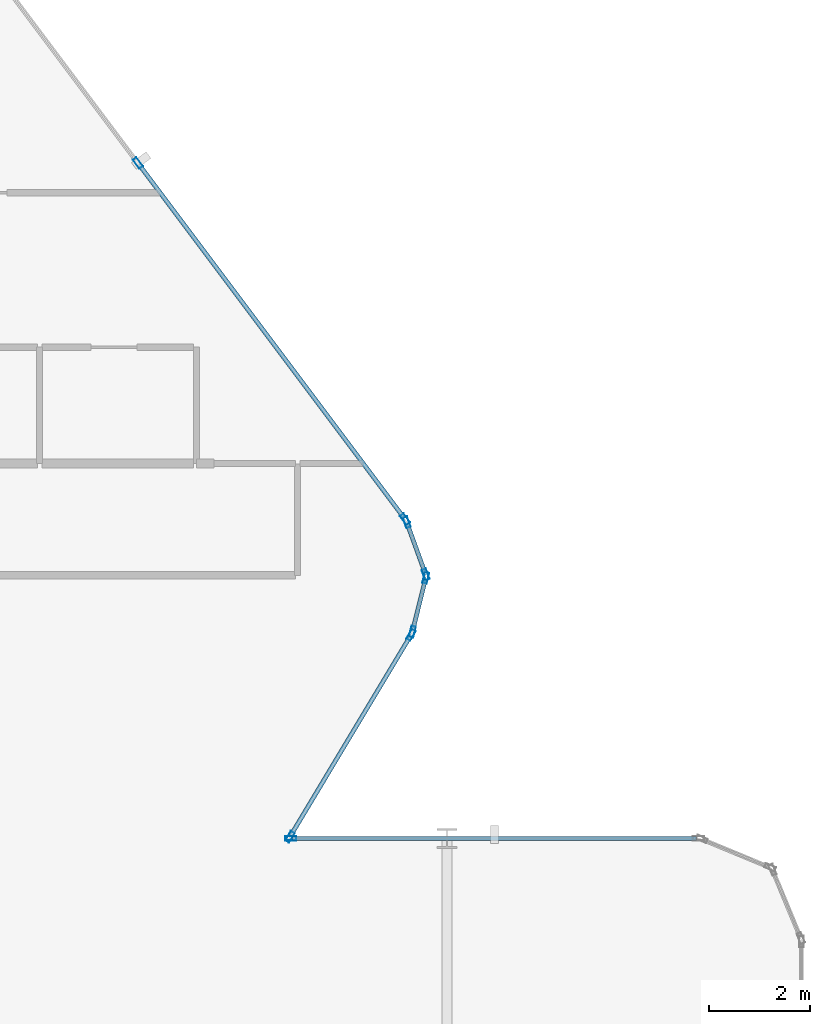
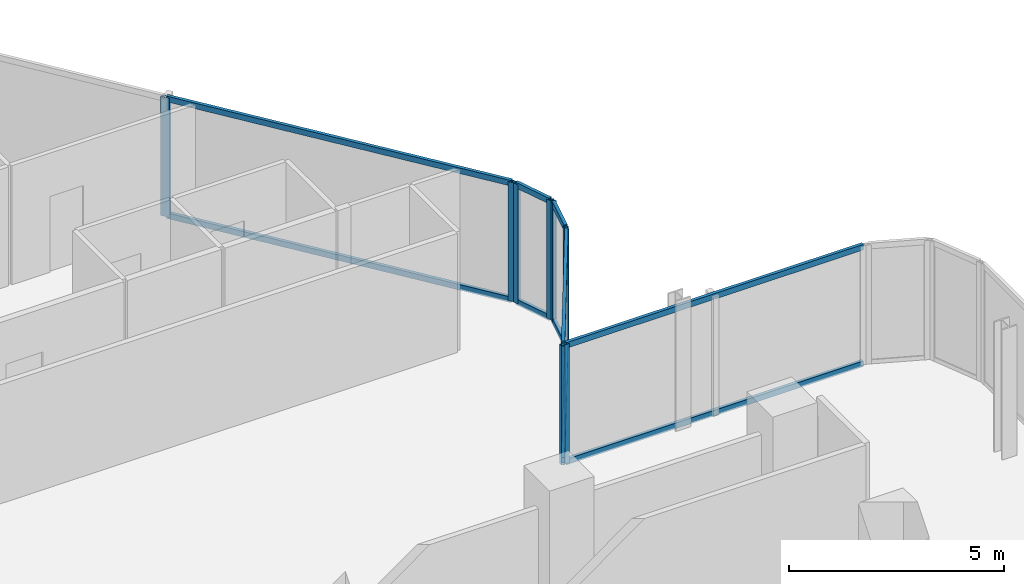
# One storey, part 15 of 34: 19 members, 5 elements without a shape of their own.
"""IFC4 building model written with IfcOpenShell, lengths in metres."""

from ifc_helpers import new_model, si_unit, direction, frame, origin, origin_2d, place, context, subcontext, project, spatial, hollow_rectangle, extrude, material, layer, layer_set, material_profile, profile_set, type_object, element, aggregate, save


model = new_model("IFC4")

# Units and contexts
model_context = context("Model", 3, precision=1e-05, world=origin(), true_north=direction((0.0, 1.0)))
body_context = subcontext(model_context, "Body", "Model", "MODEL_VIEW")
ifc_project = project(units=[si_unit("LENGTHUNIT", "METRE"), si_unit("AREAUNIT", "SQUARE_METRE"), si_unit("VOLUMEUNIT", "CUBIC_METRE"), si_unit("PLANEANGLEUNIT", "RADIAN"), si_unit("MASSUNIT", "GRAM", prefix="KILO")], contexts=[model_context])

# Site, building, storey
site_placement = place(None, origin())
site = spatial("IfcSite", under=ifc_project, at=site_placement, CompositionType="ELEMENT")
building_placement = place(site_placement, origin())
building = spatial("IfcBuilding", under=site, at=building_placement, Name="Keshet Zoharim Tower", CompositionType="ELEMENT")
storey_placement = place(building_placement, frame((0.0, 0.0, 53.60009765625)))
storey = spatial("IfcBuildingStorey", under=building, at=storey_placement, Name="L12", CompositionType="ELEMENT", Elevation=53.60009765625)

# Curtain wall, members
ifc_material = material(Name="Aluminium 6063-T6", Category="aluminium")
ifc_layer_1 = layer(ifc_material, 0.169921875)
ifc_layer_set_1 = layer_set([ifc_layer_1], Name="Aluminium 6063-T6")
curtain_wall_type_1 = type_object("IfcCurtainWallType", Name="CW-SYS-02", PredefinedType="NOTDEFINED", material=ifc_layer_set_1)
curtain_wall_1_placement = place(storey_placement, origin())
curtain_wall_1 = element("IfcCurtainWall", 1, at=curtain_wall_1_placement, inside=storey, type_object=curtain_wall_type_1, Name="L12 Unitised Curtain Wall 09", PredefinedType="NOTDEFINED")
ifc_material_profile_1 = material_profile(ifc_material, hollow_rectangle(XDim=0.090087890625, YDim=0.219970703125, WallThickness=0.0048828125, at=origin_2d()), Name="MUL-90x220")
ifc_profile_set_1 = profile_set([ifc_material_profile_1], Name="Aluminium 6063-T6")
member_type_1 = type_object("IfcMemberType", Name="CWM-M22", PredefinedType="MULLION", material=ifc_profile_set_1)
member_1_placement = place(storey_placement, frame((56.896484375, 46.0380859375, 0.0), z_axis=(0.0, 0.0, 1.0), x_axis=(0.799999999998, 0.600000000002, 0.0)))
member_1 = element("IfcMember", 2, at=member_1_placement, type_object=member_type_1, Name="CW-02 mullion 2", PredefinedType="MULLION", context=body_context, shape_type="SweptSolid", body=[
    extrude(hollow_rectangle(XDim=0.090087890625, YDim=0.219970703125, WallThickness=0.0048828125, at=origin_2d()), origin(), (0.0, 0.0, 1.0), 3.385009765625),
])
member_2_placement = place(storey_placement, frame((62.172119140625, 39.00390625, 0.0), z_axis=(0.0, 0.0, 1.0), x_axis=(0.799999999998, 0.600000000002, 0.0)))
member_2 = element("IfcMember", 3, at=member_2_placement, type_object=member_type_1, Name="CW-02 mullion 3", PredefinedType="MULLION", context=body_context, shape_type="SweptSolid", body=[
    extrude(hollow_rectangle(XDim=0.090087890625, YDim=0.219970703125, WallThickness=0.0048828125, at=origin_2d()), origin(), (0.0, 0.0, 1.0), 3.385009765625),
])

curtain_wall_2_placement = place(storey_placement, origin())
curtain_wall_2 = element("IfcCurtainWall", 4, at=curtain_wall_2_placement, inside=storey, type_object=curtain_wall_type_1, Name="L12 Unitised Curtain Wall 10", PredefinedType="NOTDEFINED")
member_3_placement = place(storey_placement, frame((62.204833984375, 38.943115234375, 0.0), z_axis=(0.0, 0.0, 1.0), x_axis=(0.940317877544, 0.340297354046, 0.0)))
member_3 = element("IfcMember", 5, at=member_3_placement, type_object=member_type_1, Name="CW-02 mullion 1", PredefinedType="MULLION", context=body_context, shape_type="SweptSolid", body=[
    extrude(hollow_rectangle(XDim=0.090087890625, YDim=0.219970703125, WallThickness=0.0048828125, at=origin_2d()), origin(), (0.0, 0.0, 1.0), 3.385009765625),
])
member_4_placement = place(storey_placement, frame((62.578125, 37.911865234375, 0.0), z_axis=(0.0, 0.0, 1.0), x_axis=(0.940317877544, 0.340297354046, 0.0)))
member_4 = element("IfcMember", 6, at=member_4_placement, type_object=member_type_1, Name="CW-02 mullion 2", PredefinedType="MULLION", context=body_context, shape_type="SweptSolid", body=[
    extrude(hollow_rectangle(XDim=0.090087890625, YDim=0.219970703125, WallThickness=0.0048828125, at=origin_2d()), origin(), (0.0, 0.0, 1.0), 3.385009765625),
])

curtain_wall_3_placement = place(storey_placement, origin())
curtain_wall_3 = element("IfcCurtainWall", 7, at=curtain_wall_3_placement, inside=storey, type_object=curtain_wall_type_1, Name="L12 Unitised Curtain Wall 11", PredefinedType="NOTDEFINED")
member_5_placement = place(storey_placement, frame((62.58154296875, 37.844970703125, 0.0), z_axis=(0.0, 0.0, 1.0), x_axis=(0.970343857447, -0.241728770141, 0.0)))
member_5 = element("IfcMember", 8, at=member_5_placement, type_object=member_type_1, Name="CW-02 mullion 1", PredefinedType="MULLION", context=body_context, shape_type="SweptSolid", body=[
    extrude(hollow_rectangle(XDim=0.090087890625, YDim=0.219970703125, WallThickness=0.0048828125, at=origin_2d()), origin(), (0.0, 0.0, 1.0), 3.385009765625),
])
member_6_placement = place(storey_placement, frame((62.31640625, 36.781005859375, 0.0), z_axis=(0.0, 0.0, 1.0), x_axis=(0.970343857447, -0.241728770141, 0.0)))
member_6 = element("IfcMember", 9, at=member_6_placement, type_object=member_type_1, Name="CW-02 mullion 2", PredefinedType="MULLION", context=body_context, shape_type="SweptSolid", body=[
    extrude(hollow_rectangle(XDim=0.090087890625, YDim=0.219970703125, WallThickness=0.0048828125, at=origin_2d()), origin(), (0.0, 0.0, 1.0), 3.385009765625),
])

ifc_layer_2 = layer(ifc_material, 0.179931640625)
ifc_layer_set_2 = layer_set([ifc_layer_2], Name="Aluminium 6063-T6")
curtain_wall_type_2 = type_object("IfcCurtainWallType", Name="CW-SYS-01", PredefinedType="NOTDEFINED", material=ifc_layer_set_2)
curtain_wall_4_placement = place(storey_placement, origin())
curtain_wall_4 = element("IfcCurtainWall", 10, at=curtain_wall_4_placement, inside=storey, type_object=curtain_wall_type_2, Name="L12 Unitised Curtain Wall 12", PredefinedType="NOTDEFINED")
member_7_placement = place(storey_placement, frame((62.2900390625, 36.717041015625, 0.0), z_axis=(0.0, 0.0, 1.0), x_axis=(0.857511621163, -0.51446459506, 0.0)))
member_7 = element("IfcMember", 11, at=member_7_placement, type_object=member_type_1, Name="CW-01 mullion 1", PredefinedType="MULLION", context=body_context, shape_type="SweptSolid", body=[
    extrude(hollow_rectangle(XDim=0.090087890625, YDim=0.219970703125, WallThickness=0.0048828125, at=origin_2d()), origin(), (0.0, 0.0, 1.0), 3.385009765625),
])
member_8_placement = place(storey_placement, frame((59.89794921875, 32.72998046875, 0.0), z_axis=(0.0, 0.0, 1.0), x_axis=(0.857511621163, -0.51446459506, 0.0)))
member_8 = element("IfcMember", 12, at=member_8_placement, type_object=member_type_1, Name="CW-01 mullion 2", PredefinedType="MULLION", context=body_context, shape_type="SweptSolid", body=[
    extrude(hollow_rectangle(XDim=0.090087890625, YDim=0.219970703125, WallThickness=0.0048828125, at=origin_2d()), origin(), (0.0, 0.0, 1.0), 3.385009765625),
])

# Curtain wall, member
curtain_wall_5_placement = place(storey_placement, origin())
curtain_wall_5 = element("IfcCurtainWall", 13, at=curtain_wall_5_placement, inside=storey, type_object=curtain_wall_type_1, Name="L12 Unitised Curtain Wall 13", PredefinedType="NOTDEFINED")
member_9_placement = place(storey_placement, frame((59.9150390625, 32.699951171875, 0.0), z_axis=(0.0, 0.0, 1.0), x_axis=(0.0, 1.0, 0.0)))
member_9 = element("IfcMember", 14, at=member_9_placement, type_object=member_type_1, Name="CW-02 mullion 1", PredefinedType="MULLION", context=body_context, shape_type="SweptSolid", body=[
    extrude(hollow_rectangle(XDim=0.090087890625, YDim=0.219970703125, WallThickness=0.0048828125, at=origin_2d()), origin(), (0.0, 0.0, 1.0), 3.385009765625),
])

# Member
ifc_material_profile_2 = material_profile(ifc_material, hollow_rectangle(XDim=0.0849609375, YDim=0.159912109375, WallThickness=0.00439453125, at=origin_2d()), Name="TRN-85x160")
ifc_profile_set_2 = profile_set([ifc_material_profile_2], Name="Aluminium 6063-T6")
member_type_2 = type_object("IfcMemberType", Name="CWT-T16", PredefinedType="USERDEFINED", material=ifc_profile_set_2)
member_10_placement = place(storey_placement, frame((56.91748046875, 46.010009765625, 0.034912109375), z_axis=(0.599991043201, -0.800006717521, 0.0), x_axis=(0.800006717521, 0.599991043201, 0.0)))
member_10 = element("IfcMember", 15, at=member_10_placement, type_object=member_type_2, Name="CW-02 transom 2.1", ObjectType="TRANSOM", PredefinedType="USERDEFINED", context=body_context, shape_type="SweptSolid", body=[
    extrude(hollow_rectangle(XDim=0.0849609375, YDim=0.159912109375, WallThickness=0.00439453125, at=origin_2d()), origin(), (0.0, 0.0, 1.0), 8.722412109375),
])

member_11_placement = place(storey_placement, frame((56.91748046875, 46.010009765625, 3.349853515625), z_axis=(0.599991043201, -0.800006717521, 0.0), x_axis=(0.800006717521, 0.599991043201, 0.0)))
member_11 = element("IfcMember", 16, at=member_11_placement, type_object=member_type_2, Name="CW-02 transom 2.2", ObjectType="TRANSOM", PredefinedType="USERDEFINED", context=body_context, shape_type="SweptSolid", body=[
    extrude(hollow_rectangle(XDim=0.0849609375, YDim=0.159912109375, WallThickness=0.00439453125, at=origin_2d()), origin(), (0.0, 0.0, 1.0), 8.722412109375),
])

aggregate(curtain_wall_1, [member_1, member_2, member_10, member_11])

member_12_placement = place(storey_placement, frame((62.216796875, 38.91015625, 0.034912109375), z_axis=(0.340310579984, -0.940313091024, 0.0), x_axis=(0.940313091024, 0.340310579984, 0.0)))
member_12 = element("IfcMember", 17, at=member_12_placement, type_object=member_type_2, Name="CW-02 transom 1.1", ObjectType="TRANSOM", PredefinedType="USERDEFINED", context=body_context, shape_type="SweptSolid", body=[
    extrude(hollow_rectangle(XDim=0.0849609375, YDim=0.159912109375, WallThickness=0.00439453125, at=origin_2d()), origin(), (0.0, 0.0, 1.0), 1.026611328125),
])

member_13_placement = place(storey_placement, frame((62.216796875, 38.91015625, 3.349853515625), z_axis=(0.340310579984, -0.940313091024, 0.0), x_axis=(0.940313091024, 0.340310579984, 0.0)))
member_13 = element("IfcMember", 18, at=member_13_placement, type_object=member_type_2, Name="CW-02 transom 1.2", ObjectType="TRANSOM", PredefinedType="USERDEFINED", context=body_context, shape_type="SweptSolid", body=[
    extrude(hollow_rectangle(XDim=0.0849609375, YDim=0.159912109375, WallThickness=0.00439453125, at=origin_2d()), origin(), (0.0, 0.0, 1.0), 1.026611328125),
])

aggregate(curtain_wall_2, [member_3, member_4, member_12, member_13])

member_14_placement = place(storey_placement, frame((62.572998046875, 37.81103515625, 0.034912109375), z_axis=(-0.241640143717, -0.970365931463, 0.0), x_axis=(0.970365931463, -0.241640143717, 0.0)))
member_14 = element("IfcMember", 19, at=member_14_placement, type_object=member_type_2, Name="CW-02 transom 1.1", ObjectType="TRANSOM", PredefinedType="USERDEFINED", context=body_context, shape_type="SweptSolid", body=[
    extrude(hollow_rectangle(XDim=0.0849609375, YDim=0.159912109375, WallThickness=0.00439453125, at=origin_2d()), origin(), (0.0, 0.0, 1.0), 1.026611328125),
])

member_15_placement = place(storey_placement, frame((62.572998046875, 37.81103515625, 3.349853515625), z_axis=(-0.241640143717, -0.970365931463, 0.0), x_axis=(0.970365931463, -0.241640143717, 0.0)))
member_15 = element("IfcMember", 20, at=member_15_placement, type_object=member_type_2, Name="CW-02 transom 1.2", ObjectType="TRANSOM", PredefinedType="USERDEFINED", context=body_context, shape_type="SweptSolid", body=[
    extrude(hollow_rectangle(XDim=0.0849609375, YDim=0.159912109375, WallThickness=0.00439453125, at=origin_2d()), origin(), (0.0, 0.0, 1.0), 1.026611328125),
])

aggregate(curtain_wall_3, [member_5, member_6, member_14, member_15])

member_16_placement = place(storey_placement, frame((62.27197265625, 36.68701171875, 0.034912109375), z_axis=(-0.514456555213, -0.857516444622, 0.0), x_axis=(0.857516444622, -0.514456555213, 0.0)))
member_16 = element("IfcMember", 21, at=member_16_placement, type_object=member_type_2, Name="CW-01 transom 1.1", ObjectType="TRANSOM", PredefinedType="USERDEFINED", context=body_context, shape_type="SweptSolid", body=[
    extrude(hollow_rectangle(XDim=0.0849609375, YDim=0.159912109375, WallThickness=0.00439453125, at=origin_2d()), origin(), (0.0, 0.0, 1.0), 4.57958984375),
])

member_17_placement = place(storey_placement, frame((62.27197265625, 36.68701171875, 3.349853515625), z_axis=(-0.514456555213, -0.857516444622, 0.0), x_axis=(0.857516444622, -0.514456555213, 0.0)))
member_17 = element("IfcMember", 22, at=member_17_placement, type_object=member_type_2, Name="CW-01 transom 1.2", ObjectType="TRANSOM", PredefinedType="USERDEFINED", context=body_context, shape_type="SweptSolid", body=[
    extrude(hollow_rectangle(XDim=0.0849609375, YDim=0.159912109375, WallThickness=0.00439453125, at=origin_2d()), origin(), (0.0, 0.0, 1.0), 4.57958984375),
])

aggregate(curtain_wall_4, [member_7, member_8, member_16, member_17])

member_18_placement = place(storey_placement, frame((59.949951171875, 32.699951171875, 0.034912109375), z_axis=(1.0, 0.0, 0.0), x_axis=(0.0, 1.0, 0.0)))
member_18 = element("IfcMember", 23, at=member_18_placement, type_object=member_type_2, Name="CW-02 transom 1.1", ObjectType="TRANSOM", PredefinedType="USERDEFINED", context=body_context, shape_type="SweptSolid", body=[
    extrude(hollow_rectangle(XDim=0.0849609375, YDim=0.159912109375, WallThickness=0.00439453125, at=origin_2d()), origin(), (0.0, 0.0, 1.0), 7.97998046875),
])

member_19_placement = place(storey_placement, frame((59.949951171875, 32.699951171875, 3.349853515625), z_axis=(1.0, 0.0, 0.0), x_axis=(0.0, 1.0, 0.0)))
member_19 = element("IfcMember", 24, at=member_19_placement, type_object=member_type_2, Name="CW-02 transom 1.2", ObjectType="TRANSOM", PredefinedType="USERDEFINED", context=body_context, shape_type="SweptSolid", body=[
    extrude(hollow_rectangle(XDim=0.0849609375, YDim=0.159912109375, WallThickness=0.00439453125, at=origin_2d()), origin(), (0.0, 0.0, 1.0), 7.97998046875),
])

aggregate(curtain_wall_5, [member_9, member_18, member_19])

save(model, "model.ifc")
